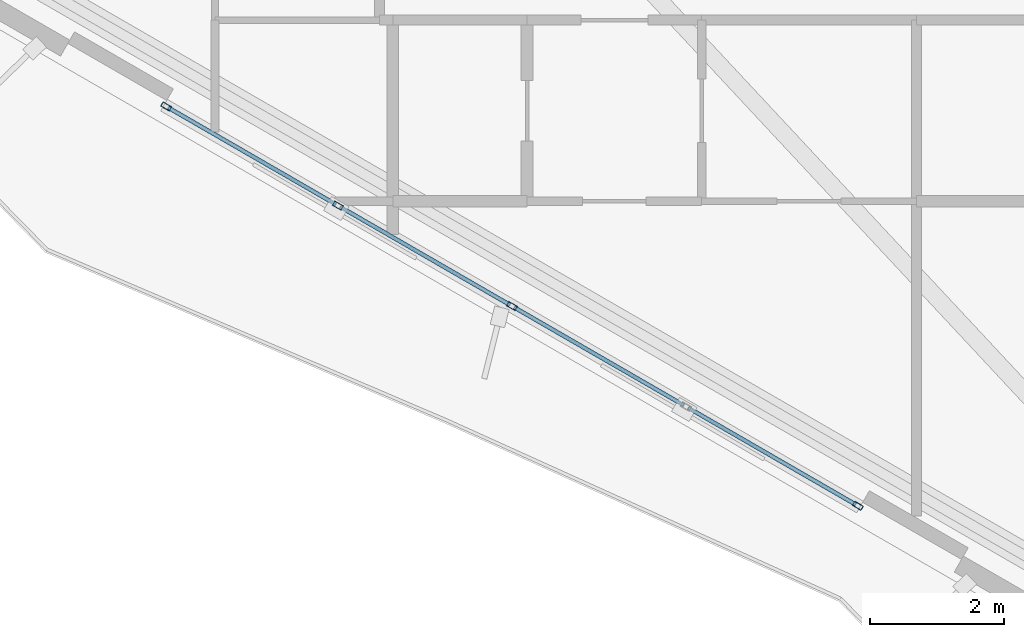
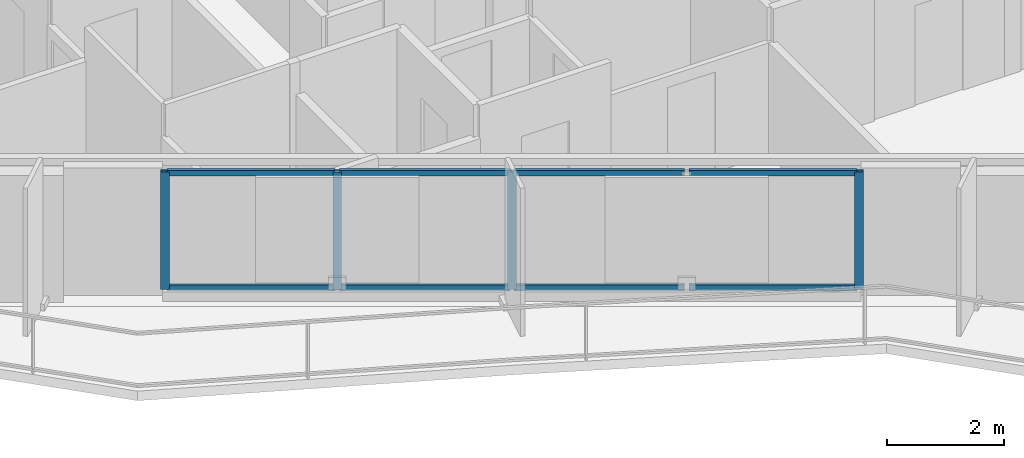
# One storey, part 2 of 18: 12 members, 1 element without a shape of its own.
"""IFC4 building model written with IfcOpenShell, lengths in metres."""

from ifc_helpers import new_model, si_unit, direction, frame, origin, origin_2d, place, context, subcontext, project, spatial, hollow_rectangle, extrude, material, layer, layer_set, material_profile, profile_set, type_object, element, aggregate, save


model = new_model("IFC4")

# Units and contexts
model_context = context("Model", 3, precision=1e-05, world=origin(), true_north=direction((0.0, 1.0)))
body_context = subcontext(model_context, "Body", "Model", "MODEL_VIEW")
ifc_project = project(units=[si_unit("LENGTHUNIT", "METRE"), si_unit("AREAUNIT", "SQUARE_METRE"), si_unit("VOLUMEUNIT", "CUBIC_METRE"), si_unit("PLANEANGLEUNIT", "RADIAN"), si_unit("MASSUNIT", "GRAM", prefix="KILO")], contexts=[model_context])

# Site, building, storey
site_placement = place(None, origin())
site = spatial("IfcSite", under=ifc_project, at=site_placement, CompositionType="ELEMENT")
building_placement = place(site_placement, origin())
building = spatial("IfcBuilding", under=site, at=building_placement, Name="Mersakhor Tower and Convention Hall", CompositionType="ELEMENT")
storey_placement = place(building_placement, frame((0.0, 0.0, 35.699951171875)))
storey = spatial("IfcBuildingStorey", under=building, at=storey_placement, Name="L09", CompositionType="ELEMENT", Elevation=35.699951171875)

# Curtain wall, members
ifc_material_1 = material(Name="Dark solar low-E aluminium curtain wall", Category="aluminium")
ifc_layer = layer(ifc_material_1, 0.159912109375)
ifc_layer_set = layer_set([ifc_layer], Name="Dark solar low-E aluminium curtain wall")
curtain_wall_type = type_object("IfcCurtainWallType", Name="CW-SYS-01", PredefinedType="USERDEFINED", material=ifc_layer_set)
curtain_wall_placement = place(storey_placement, origin())
curtain_wall = element("IfcCurtainWall", 1, at=curtain_wall_placement, inside=storey, type_object=curtain_wall_type, Name="L09 Dark-Glass Curtain Wall F3-B2", ObjectType="CURTAIN WALL", PredefinedType="USERDEFINED")
ifc_material_2 = material(Name="Anodised aluminium EN AW-6063 T6", Category="aluminium")
ifc_material_profile_1 = material_profile(ifc_material_2, hollow_rectangle(XDim=0.074951171875, YDim=0.14990234375, WallThickness=0.00634765625, at=origin_2d()), Name="RHS 150x75x6.3")
ifc_profile_set_1 = profile_set([ifc_material_profile_1], Name="Anodised aluminium EN AW-6063 T6")
member_type_1 = type_object("IfcMemberType", Name="CWM-150x75", PredefinedType="MULLION", material=ifc_profile_set_1)
member_1_placement = place(storey_placement, frame((26.72705078125, 10.9150390625, 0.199951171875), z_axis=(0.0, 0.0, 1.0), x_axis=(-0.50000344889, -0.866023412558, 0.0)))
member_1 = element("IfcMember", 2, at=member_1_placement, type_object=member_type_1, Name="CW-01 mullion 1", PredefinedType="MULLION", context=body_context, shape_type="SweptSolid", body=[
    extrude(hollow_rectangle(XDim=0.074951171875, YDim=0.14990234375, WallThickness=0.00634765625, at=origin_2d()), origin(), (0.0, 0.0, 1.0), 2.460205078125),
])
member_2_placement = place(storey_placement, frame((21.574951171875, 13.889404296875, 0.199951171875), z_axis=(0.0, 0.0, 1.0), x_axis=(-0.50000344889, -0.866023412558, 0.0)))
member_2 = element("IfcMember", 3, at=member_2_placement, type_object=member_type_1, Name="CW-01 mullion 3", PredefinedType="MULLION", context=body_context, shape_type="SweptSolid", body=[
    extrude(hollow_rectangle(XDim=0.074951171875, YDim=0.14990234375, WallThickness=0.00634765625, at=origin_2d()), origin(), (0.0, 0.0, 1.0), 2.460205078125),
])
member_3_placement = place(storey_placement, frame((18.982666015625, 15.38623046875, 0.199951171875), z_axis=(0.0, 0.0, 1.0), x_axis=(-0.50000344889, -0.866023412558, 0.0)))
member_3 = element("IfcMember", 4, at=member_3_placement, type_object=member_type_1, Name="CW-01 mullion 4", PredefinedType="MULLION", context=body_context, shape_type="SweptSolid", body=[
    extrude(hollow_rectangle(XDim=0.074951171875, YDim=0.14990234375, WallThickness=0.00634765625, at=origin_2d()), origin(), (0.0, 0.0, 1.0), 2.460205078125),
])
member_4_placement = place(storey_placement, frame((16.423095703125, 16.864013671875, 0.199951171875), z_axis=(0.0, 0.0, 1.0), x_axis=(-0.50000344889, -0.866023412558, 0.0)))
member_4 = element("IfcMember", 5, at=member_4_placement, type_object=member_type_1, Name="CW-01 mullion 5", PredefinedType="MULLION", context=body_context, shape_type="SweptSolid", body=[
    extrude(hollow_rectangle(XDim=0.074951171875, YDim=0.14990234375, WallThickness=0.00634765625, at=origin_2d()), origin(), (0.0, 0.0, 1.0), 2.460205078125),
])
ifc_material_3 = material(Name="Anodised aluminium EN AW-6063 T6", Category="aluminium")
ifc_material_profile_2 = material_profile(ifc_material_3, hollow_rectangle(XDim=0.06005859375, YDim=0.1201171875, WallThickness=0.0048828125, at=origin_2d()), Name="RHS 120x60x5")
ifc_profile_set_2 = profile_set([ifc_material_profile_2], Name="Anodised aluminium EN AW-6063 T6")
member_type_2 = type_object("IfcMemberType", Name="CWT-120x60", PredefinedType="USERDEFINED", material=ifc_profile_set_2)
member_5_placement = place(storey_placement, frame((26.694580078125, 10.93359375, 0.22998046875), z_axis=(-0.866023290103, 0.500003660985, 0.0), x_axis=(-0.500003660985, -0.866023290103, 0.0)))
member_5 = element("IfcMember", 6, at=member_5_placement, type_object=member_type_2, Name="CW-01 transom 1.1", ObjectType="TRANSOM", PredefinedType="USERDEFINED", context=body_context, shape_type="SweptSolid", body=[
    extrude(hollow_rectangle(XDim=0.06005859375, YDim=0.1201171875, WallThickness=0.0048828125, at=origin_2d()), origin(), (0.0, 0.0, 1.0), 2.880859375),
])
member_6_placement = place(storey_placement, frame((26.694580078125, 10.93359375, 2.630126953125), z_axis=(-0.866023290103, 0.500003660985, 0.0), x_axis=(-0.500003660985, -0.866023290103, 0.0)))
member_6 = element("IfcMember", 7, at=member_6_placement, type_object=member_type_2, Name="CW-01 transom 1.2", ObjectType="TRANSOM", PredefinedType="USERDEFINED", context=body_context, shape_type="SweptSolid", body=[
    extrude(hollow_rectangle(XDim=0.06005859375, YDim=0.1201171875, WallThickness=0.0048828125, at=origin_2d()), origin(), (0.0, 0.0, 1.0), 2.880859375),
])
member_7_placement = place(storey_placement, frame((24.134765625, 12.41162109375, 0.22998046875), z_axis=(-0.866015622527, 0.500016941252, 0.0), x_axis=(-0.500016941252, -0.866015622527, 0.0)))
member_7 = element("IfcMember", 8, at=member_7_placement, type_object=member_type_2, Name="CW-01 transom 2.1", ObjectType="TRANSOM", PredefinedType="USERDEFINED", context=body_context, shape_type="SweptSolid", body=[
    extrude(hollow_rectangle(XDim=0.06005859375, YDim=0.1201171875, WallThickness=0.0048828125, at=origin_2d()), origin(), (0.0, 0.0, 1.0), 2.91845703125),
])
member_8_placement = place(storey_placement, frame((24.134765625, 12.41162109375, 2.630126953125), z_axis=(-0.866015622527, 0.500016941252, 0.0), x_axis=(-0.500016941252, -0.866015622527, 0.0)))
member_8 = element("IfcMember", 9, at=member_8_placement, type_object=member_type_2, Name="CW-01 transom 2.2", ObjectType="TRANSOM", PredefinedType="USERDEFINED", context=body_context, shape_type="SweptSolid", body=[
    extrude(hollow_rectangle(XDim=0.06005859375, YDim=0.1201171875, WallThickness=0.0048828125, at=origin_2d()), origin(), (0.0, 0.0, 1.0), 2.91845703125),
])
member_9_placement = place(storey_placement, frame((21.54248046875, 13.908203125, 0.22998046875), z_axis=(-0.866015622527, 0.500016941252, 0.0), x_axis=(-0.500016941252, -0.866015622527, 0.0)))
member_9 = element("IfcMember", 10, at=member_9_placement, type_object=member_type_2, Name="CW-01 transom 3.1", ObjectType="TRANSOM", PredefinedType="USERDEFINED", context=body_context, shape_type="SweptSolid", body=[
    extrude(hollow_rectangle(XDim=0.06005859375, YDim=0.1201171875, WallThickness=0.0048828125, at=origin_2d()), origin(), (0.0, 0.0, 1.0), 2.91845703125),
])
member_10_placement = place(storey_placement, frame((21.54248046875, 13.908203125, 2.630126953125), z_axis=(-0.866015622527, 0.500016941252, 0.0), x_axis=(-0.500016941252, -0.866015622527, 0.0)))
member_10 = element("IfcMember", 11, at=member_10_placement, type_object=member_type_2, Name="CW-01 transom 3.2", ObjectType="TRANSOM", PredefinedType="USERDEFINED", context=body_context, shape_type="SweptSolid", body=[
    extrude(hollow_rectangle(XDim=0.06005859375, YDim=0.1201171875, WallThickness=0.0048828125, at=origin_2d()), origin(), (0.0, 0.0, 1.0), 2.91845703125),
])
member_11_placement = place(storey_placement, frame((18.9501953125, 15.40478515625, 0.22998046875), z_axis=(-0.866002100865, 0.500040359669, 0.0), x_axis=(-0.500040359669, -0.866002100865, 0.0)))
member_11 = element("IfcMember", 12, at=member_11_placement, type_object=member_type_2, Name="CW-01 transom 4.1", ObjectType="TRANSOM", PredefinedType="USERDEFINED", context=body_context, shape_type="SweptSolid", body=[
    extrude(hollow_rectangle(XDim=0.06005859375, YDim=0.1201171875, WallThickness=0.0048828125, at=origin_2d()), origin(), (0.0, 0.0, 1.0), 2.880615234375),
])
member_12_placement = place(storey_placement, frame((18.9501953125, 15.40478515625, 2.630126953125), z_axis=(-0.866002100865, 0.500040359669, 0.0), x_axis=(-0.500040359669, -0.866002100865, 0.0)))
member_12 = element("IfcMember", 13, at=member_12_placement, type_object=member_type_2, Name="CW-01 transom 4.2", ObjectType="TRANSOM", PredefinedType="USERDEFINED", context=body_context, shape_type="SweptSolid", body=[
    extrude(hollow_rectangle(XDim=0.06005859375, YDim=0.1201171875, WallThickness=0.0048828125, at=origin_2d()), origin(), (0.0, 0.0, 1.0), 2.880615234375),
])
aggregate(curtain_wall, [member_1, member_2, member_3, member_4, member_5, member_6, member_7, member_8, member_9, member_10, member_11, member_12])

save(model, "model.ifc")
